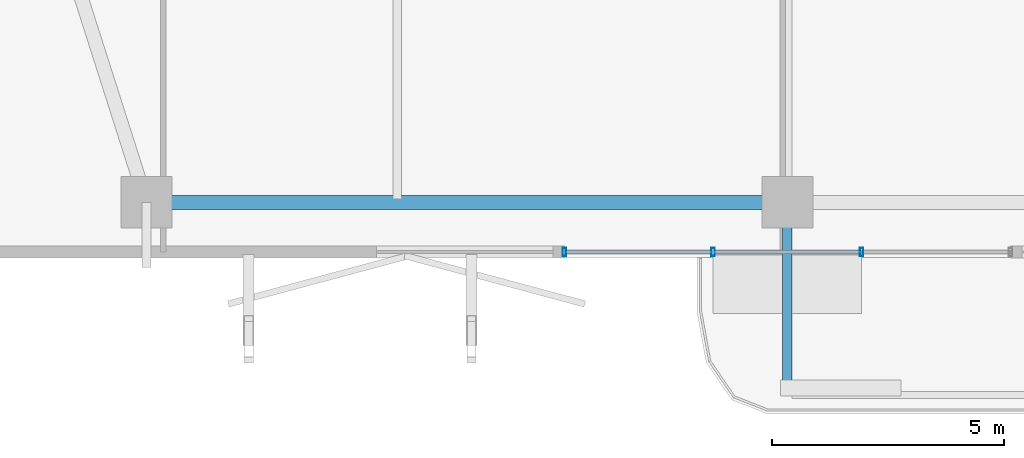
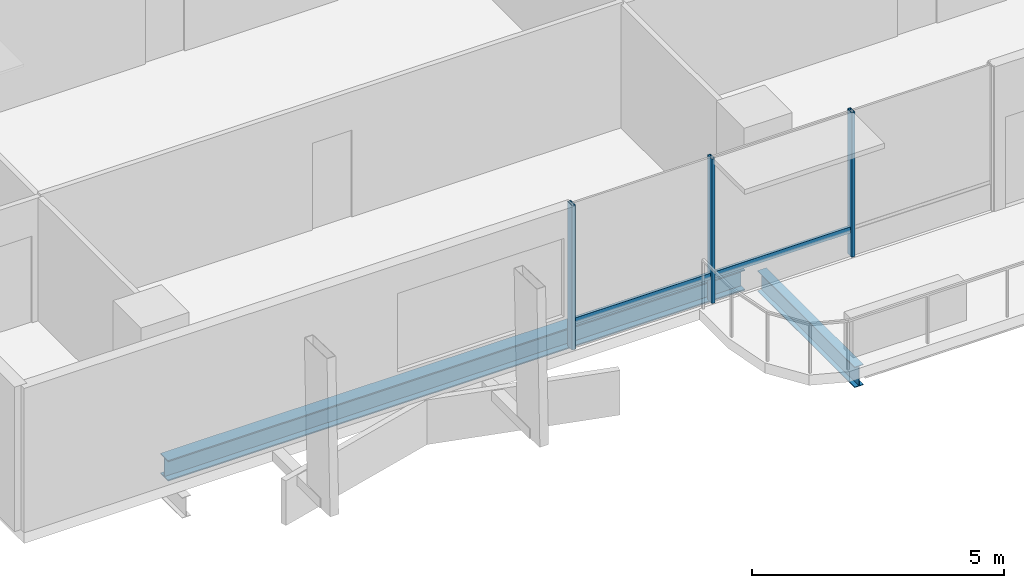
# One storey, part 2 of 25: 5 members, 2 beams, 1 element without a shape of its own.
"""IFC4 building model written with IfcOpenShell, lengths in metres."""

from ifc_helpers import new_model, si_unit, direction, frame, origin, origin_2d, place, context, subcontext, project, spatial, hollow_rectangle, i_section, extrude, material, layer, layer_set, material_profile, profile_set, type_object, element, aggregate, save


model = new_model("IFC4")

# Units and contexts
model_context = context("Model", 3, precision=1e-05, world=origin(), true_north=direction((0.0, 1.0)))
body_context = subcontext(model_context, "Body", "Model", "MODEL_VIEW")
ifc_project = project(units=[si_unit("LENGTHUNIT", "METRE"), si_unit("AREAUNIT", "SQUARE_METRE"), si_unit("VOLUMEUNIT", "CUBIC_METRE"), si_unit("PLANEANGLEUNIT", "RADIAN"), si_unit("MASSUNIT", "GRAM", prefix="KILO")], contexts=[model_context])

# Site, building, storey
site_placement = place(None, origin())
site = spatial("IfcSite", under=ifc_project, at=site_placement, CompositionType="ELEMENT")
building_placement = place(site_placement, origin())
building = spatial("IfcBuilding", under=site, at=building_placement, Name="Belovzor Exchange Tower", CompositionType="ELEMENT")
storey_placement = place(building_placement, frame((0.0, 0.0, 142.050048828125)))
storey = spatial("IfcBuildingStorey", under=building, at=storey_placement, Name="L34", CompositionType="ELEMENT", Elevation=142.050048828125)

# Beam
ifc_material_1 = material(Name="Steel S355", Category="steel")
ifc_material_profile_1 = material_profile(ifc_material_1, i_section(OverallWidth=0.199951171875, OverallDepth=0.5, WebThickness=0.01025390625, FlangeThickness=0.01611328125, at=origin_2d()))
ifc_profile_set_1 = profile_set([ifc_material_profile_1], Name="Steel S355")
beam_type_1 = type_object("IfcBeamType", Name="Planted Balcony Cantilever Beam IPE 500", PredefinedType="BEAM", material=ifc_profile_set_1)
beam_1_placement = place(storey_placement, frame((28.800048828125, 5.39697265625, -0.505126953125), z_axis=(0.0, -1.0, 0.0), x_axis=(1.0, 0.0, 0.0)))
element("IfcBeam", 1, at=beam_1_placement, inside=storey, type_object=beam_type_1, Name="BC-500 Planted Balcony Cantilever Beam IPE 500", PredefinedType="BEAM", context=body_context, shape_type="SweptSolid", body=[
    extrude(i_section(OverallWidth=0.199951171875, OverallDepth=0.5, WebThickness=0.01025390625, FlangeThickness=0.01611328125, at=origin_2d()), origin(), (0.0, 0.0, 1.0), 3.849853515625),
])

# Curtain wall, members
ifc_material_2 = material(Name="Anodised Aluminium Framing", Category="aluminium")
ifc_layer = layer(ifc_material_2, 0.179931640625)
ifc_layer_set = layer_set([ifc_layer], Name="Anodised Aluminium Framing")
curtain_wall_type = type_object("IfcCurtainWallType", Name="Recessed Loggia Low-Iron Triple-Glazed Curtain Wall", PredefinedType="NOTDEFINED", material=ifc_layer_set)
curtain_wall_placement = place(storey_placement, origin())
curtain_wall = element("IfcCurtainWall", 2, at=curtain_wall_placement, inside=storey, type_object=curtain_wall_type, Name="CW3 Recessed Loggia Low-Iron Triple-Glazed Curtain Wall L34", PredefinedType="NOTDEFINED")
ifc_material_3 = material(Name="Steel S355", Category="steel")
ifc_material_profile_2 = material_profile(ifc_material_3, hollow_rectangle(XDim=0.074951171875, YDim=0.179931640625, WallThickness=0.0048828125, at=origin_2d()))
ifc_profile_set_2 = profile_set([ifc_material_profile_2], Name="Steel S355")
member_type_1 = type_object("IfcMemberType", Name="Thermally Broken Curtain Wall Mullion 180x75", PredefinedType="MULLION", material=ifc_profile_set_2)
member_1_placement = place(storey_placement, frame((30.39990234375, 4.6298828125, 0.0), z_axis=(0.0, 0.0, 1.0), x_axis=(-1.0, 0.0, 0.0)))
member_1 = element("IfcMember", 3, at=member_1_placement, type_object=member_type_1, Name="CW-M180 Curtain Wall Mullion 2", PredefinedType="MULLION", context=body_context, shape_type="SweptSolid", body=[
    extrude(hollow_rectangle(XDim=0.074951171875, YDim=0.179931640625, WallThickness=0.0048828125, at=origin_2d()), origin(), (0.0, 0.0, 1.0), 3.494873046875),
])
member_2_placement = place(storey_placement, frame((27.199951171875, 4.6298828125, 0.0), z_axis=(0.0, 0.0, 1.0), x_axis=(-1.0, 0.0, 0.0)))
member_2 = element("IfcMember", 4, at=member_2_placement, type_object=member_type_1, Name="CW-M180 Curtain Wall Mullion 3", PredefinedType="MULLION", context=body_context, shape_type="SweptSolid", body=[
    extrude(hollow_rectangle(XDim=0.074951171875, YDim=0.179931640625, WallThickness=0.0048828125, at=origin_2d()), origin(), (0.0, 0.0, 1.0), 3.494873046875),
])
member_3_placement = place(storey_placement, frame((24.0, 4.6298828125, 0.0), z_axis=(0.0, 0.0, 1.0), x_axis=(-1.0, 0.0, 0.0)))
member_3 = element("IfcMember", 5, at=member_3_placement, type_object=member_type_1, Name="CW-M180 Curtain Wall Mullion 4", PredefinedType="MULLION", context=body_context, shape_type="SweptSolid", body=[
    extrude(hollow_rectangle(XDim=0.074951171875, YDim=0.179931640625, WallThickness=0.0048828125, at=origin_2d()), origin(), (0.0, 0.0, 1.0), 3.494873046875),
])
ifc_material_4 = material(Name="Steel S355", Category="steel")
ifc_material_profile_3 = material_profile(ifc_material_4, hollow_rectangle(XDim=0.06005859375, YDim=0.14990234375, WallThickness=0.00390625, at=origin_2d()))
ifc_profile_set_3 = profile_set([ifc_material_profile_3], Name="Steel S355")
member_type_2 = type_object("IfcMemberType", Name="Thermally Broken Curtain Wall Transom 150x60", PredefinedType="USERDEFINED", material=ifc_profile_set_3)
member_4_placement = place(storey_placement, frame((30.39208984375, 4.6298828125, 0.62890625), z_axis=(-1.0, 0.0, 0.0), x_axis=(0.0, -1.0, 0.0)))
member_4 = element("IfcMember", 6, at=member_4_placement, type_object=member_type_2, Name="CW-T150 Curtain Wall Transom 2", ObjectType="TRANSOM", PredefinedType="USERDEFINED", context=body_context, shape_type="SweptSolid", body=[
    extrude(hollow_rectangle(XDim=0.06005859375, YDim=0.14990234375, WallThickness=0.00390625, at=origin_2d()), origin(), (0.0, 0.0, 1.0), 3.18408203125),
])
member_5_placement = place(storey_placement, frame((27.19189453125, 4.6298828125, 0.62890625), z_axis=(-1.0, 0.0, 0.0), x_axis=(0.0, -1.0, 0.0)))
member_5 = element("IfcMember", 7, at=member_5_placement, type_object=member_type_2, Name="CW-T150 Curtain Wall Transom 3", ObjectType="TRANSOM", PredefinedType="USERDEFINED", context=body_context, shape_type="SweptSolid", body=[
    extrude(hollow_rectangle(XDim=0.06005859375, YDim=0.14990234375, WallThickness=0.00390625, at=origin_2d()), origin(), (0.0, 0.0, 1.0), 3.183837890625),
])
aggregate(curtain_wall, [member_1, member_2, member_3, member_4, member_5])

# Beam
ifc_material_5 = material(Name="Steel S355", Category="steel")
ifc_material_profile_4 = material_profile(ifc_material_5, i_section(OverallWidth=0.300048828125, OverallDepth=0.5, WebThickness=0.014404296875, FlangeThickness=0.028076171875, at=origin_2d()))
ifc_profile_set_4 = profile_set([ifc_material_profile_4], Name="Steel S355")
beam_type_2 = type_object("IfcBeamType", Name="Zone 3 Waist Primary Girder HEB 500", PredefinedType="BEAM", material=ifc_profile_set_4)
beam_2_placement = place(storey_placement, frame((15.302978515625, 5.699951171875, -0.505126953125), z_axis=(1.0, 0.0, 0.0), x_axis=(0.0, 1.0, 0.0)))
element("IfcBeam", 8, at=beam_2_placement, inside=storey, type_object=beam_type_2, Name="FG-Z3 Zone 3 Waist Primary Girder HEB 500", PredefinedType="BEAM", context=body_context, shape_type="SweptSolid", body=[
    extrude(i_section(OverallWidth=0.300048828125, OverallDepth=0.5, WebThickness=0.014404296875, FlangeThickness=0.028076171875, at=origin_2d()), origin(), (0.0, 0.0, 1.0), 13.195068359375),
])

save(model, "model.ifc")
